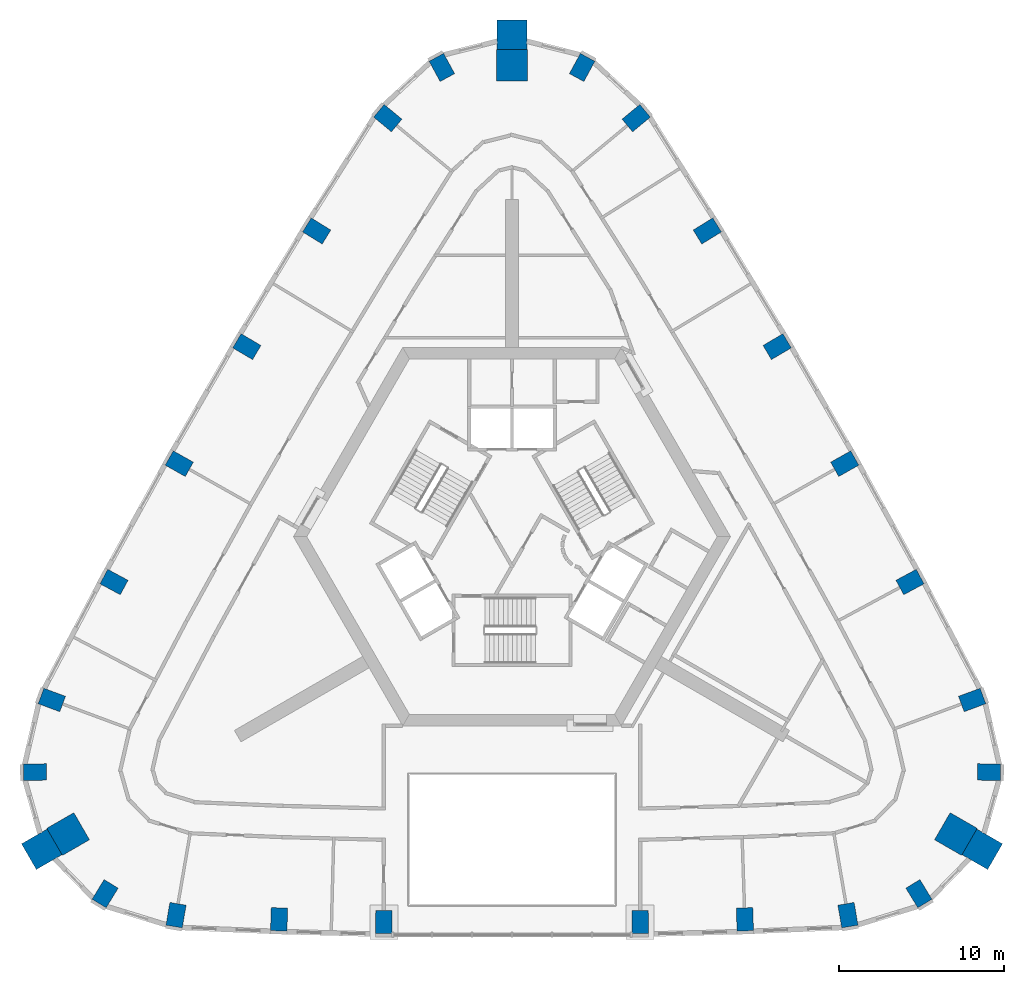
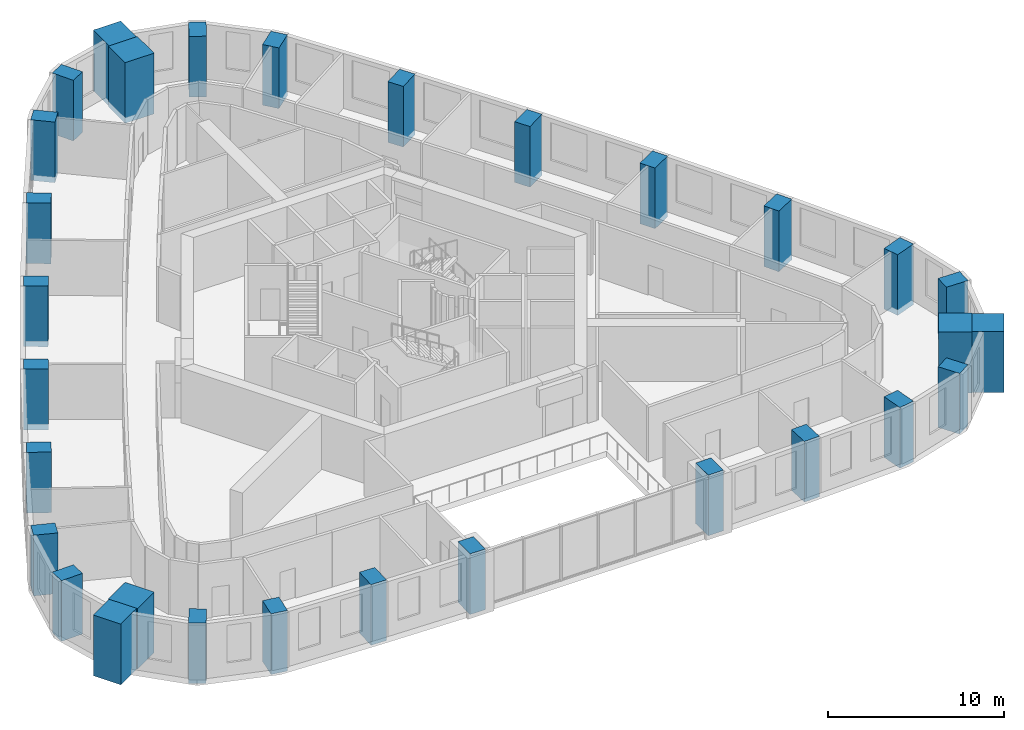
# One storey, part 1 of 11: 30 columns.
"""IFC4 building model written with IfcOpenShell, lengths in metres."""

import ifcopenshell
import ifcopenshell.guid

model = None  # the IFC model being written
_history = None  # IfcOwnerHistory: only IFC2X3 demands one
_inside = {}  # id of a spatial element -> (the spatial element, [elements in it])
_under = {}  # id of a project, library or spatial element -> (it, [spatial elements below it])
_declared = {}  # id of a project -> (the project, [libraries it declares])
_typed = {}  # id of a type object -> (the type object, [elements of that type])
_made_of = {}  # id of a material, layer set ... -> (it, [elements and type objects made of it])


def new_model(schema):
    """Start an empty IFC model of exactly this schema.

    Asked for "IFC4X3", IfcOpenShell would pick the latest addendum, in which some entities
    have other attributes; the version numbers below select the first issue.
    IFC2X3 requires an IfcOwnerHistory on every rooted entity: one is made here for all.
    """
    global model, _history
    if schema == "IFC4X3":
        model = ifcopenshell.file(schema_version=(4, 3, 0, 0))
    else:
        model = ifcopenshell.file(schema=schema)
    _inside.clear()
    _under.clear()
    _declared.clear()
    _typed.clear()
    _made_of.clear()
    _history = None
    if model.schema == "IFC2X3":
        org = make("IfcOrganization", Name="unknown")
        user = make(
            "IfcPersonAndOrganization",
            ThePerson=make("IfcPerson", FamilyName="unknown"),
            TheOrganization=org,
        )
        app = make(
            "IfcApplication",
            ApplicationDeveloper=org,
            Version="unknown",
            ApplicationFullName="unknown",
            ApplicationIdentifier="unknown",
        )
        _history = make(
            "IfcOwnerHistory",
            OwningUser=user,
            OwningApplication=app,
            ChangeAction="ADDED",
            CreationDate=0,
        )
    return model


def make(cls, **values):
    """One entity of the class cls with the attributes given. An attribute that is None is left unset."""
    return model.create_entity(
        cls, **{name: value for name, value in values.items() if value is not None}
    )


def rooted(cls, **values):
    """An entity with a GlobalId (a new one), such as an element, a storey or a relation."""
    return make(cls, GlobalId=ifcopenshell.guid.new(), OwnerHistory=_history, **values)


def si_unit(unit_type, name, prefix=None):
    """IfcSIUnit, for example si_unit("LENGTHUNIT", "METRE", prefix="MILLI")."""
    return make("IfcSIUnit", UnitType=unit_type, Prefix=prefix, Name=name)


def assignment(units):
    """IfcUnitAssignment: the units of a project."""
    return None if units is None else make("IfcUnitAssignment", Units=units)


def point(xyz):
    """IfcCartesianPoint."""
    return None if xyz is None else make("IfcCartesianPoint", Coordinates=xyz)


def direction(xyz):
    """IfcDirection."""
    return None if xyz is None else make("IfcDirection", DirectionRatios=xyz)


def frame(location, z_axis=None, x_axis=None):
    """IfcAxis2Placement3D, a coordinate frame: its origin and axes. An axis left out is left unset."""
    return make(
        "IfcAxis2Placement3D",
        Location=point(location),
        Axis=direction(z_axis),
        RefDirection=direction(x_axis),
    )


def frame_2d(location, x_axis=None):
    """IfcAxis2Placement2D, a coordinate frame in the plane: its origin and x axis."""
    return make(
        "IfcAxis2Placement2D", Location=point(location), RefDirection=direction(x_axis)
    )


def origin():
    """The frame at (0, 0, 0) with its axes left unset."""
    return frame((0.0, 0.0, 0.0))


def origin_2d():
    """The frame at (0, 0) in the plane with its x axis left unset."""
    return frame_2d((0.0, 0.0))


def place(relative_to, where):
    """IfcLocalPlacement: puts the frame where relative to a parent placement (None: the world)."""
    return make(
        "IfcLocalPlacement", PlacementRelTo=relative_to, RelativePlacement=where
    )


def context(
    kind, dimensions, precision=None, world=None, true_north=None, identifier=None
):
    """IfcGeometricRepresentationContext, for example the 3D "Model" context."""
    return make(
        "IfcGeometricRepresentationContext",
        ContextIdentifier=identifier,
        ContextType=kind,
        CoordinateSpaceDimension=dimensions,
        Precision=precision,
        WorldCoordinateSystem=world,
        TrueNorth=true_north,
    )


def subcontext(parent, identifier, kind, view, scale=None):
    """IfcGeometricRepresentationSubContext, for example "Body" below "Model"."""
    return make(
        "IfcGeometricRepresentationSubContext",
        ContextIdentifier=identifier,
        ContextType=kind,
        ParentContext=parent,
        TargetScale=scale,
        TargetView=view,
    )


def project(units=None, contexts=None):
    """IfcProject with its units and contexts."""
    return rooted(
        "IfcProject",
        Name="project",
        RepresentationContexts=contexts,
        UnitsInContext=assignment(units),
    )


def spatial(cls, under=None, at=None, **own):
    """A site, building, storey or space (cls), placed at a placement, below another one or the project."""
    s = rooted(cls, ObjectPlacement=at, **own)
    if under is not None:
        _under.setdefault(under.id(), (under, []))[1].append(s)
    return s


def profile(cls, at=None, kind="AREA", **sizes):
    """A parametric profile (cls). Its sizes go by their IFC names, for example OverallWidth=200.0."""
    return make(cls, ProfileType=kind, Position=at, **sizes)


def rectangle(**sizes):
    """IfcRectangleProfileDef."""
    return profile("IfcRectangleProfileDef", **sizes)


def extrude(swept, where, along, depth):
    """IfcExtrudedAreaSolid: the profile swept, set in the frame where, extruded along a direction by depth."""
    return make(
        "IfcExtrudedAreaSolid",
        SweptArea=swept,
        Position=where,
        ExtrudedDirection=direction(along),
        Depth=depth,
    )


def shape(context_of_items, identifier, shape_type, items):
    """IfcShapeRepresentation: the items that make up one representation, for example the "Body"."""
    return make(
        "IfcShapeRepresentation",
        ContextOfItems=context_of_items,
        RepresentationIdentifier=identifier,
        RepresentationType=shape_type,
        Items=items,
    )


def material(Name=None, Category=None):
    """IfcMaterial."""
    return make("IfcMaterial", Name=Name, Category=Category)


def material_profile(
    of_material, cross_section, Name=None, Category=None, Priority=None
):
    """IfcMaterialProfile: a cross section and its material."""
    return make(
        "IfcMaterialProfile",
        Name=Name,
        Material=of_material,
        Profile=cross_section,
        Priority=Priority,
        Category=Category,
    )


def profile_set(profiles, Name=None, composite=None):
    """IfcMaterialProfileSet."""
    return make(
        "IfcMaterialProfileSet",
        Name=Name,
        MaterialProfiles=profiles,
        CompositeProfile=composite,
    )


def made_of(thing, what):
    """Note that an element or type object is made of a material, layer set ...; save() writes the relation."""
    if what is not None:
        _made_of.setdefault(what.id(), (what, []))[1].append(thing)
    return thing


def type_object(cls, material=None, **own):
    """A type object (cls), such as IfcWallType, which elements share."""
    return made_of(rooted(cls, **own), material)


def element(
    cls,
    number,
    at=None,
    inside=None,
    cuts=None,
    type_object=None,
    material=None,
    context=None,
    identifier="Body",
    shape_type=None,
    held_by="IfcProductDefinitionShape",
    body=None,
    shapes=None,
    **own,
):
    """One element of the class cls, such as IfcWall. Its Tag is "e" and its number.

    at: its placement. inside: the storey or other place that contains it. cuts: it is an
    opening in that element (IfcRelVoidsElement). A single representation is given by context,
    identifier, shape_type and body (its items); several are given by shapes. held_by: the class
    of the entity that holds the representations. save() writes the other relations.
    """
    e = rooted(cls, Tag="e%d" % number, ObjectPlacement=at, **own)
    if body is not None:
        shapes = [shape(context, identifier, shape_type, body)]
    if shapes is not None:
        e.Representation = make(held_by, Representations=shapes)
    if inside is not None:
        _inside.setdefault(inside.id(), (inside, []))[1].append(e)
    if cuts is not None:
        rooted(
            "IfcRelVoidsElement", RelatingBuildingElement=cuts, RelatedOpeningElement=e
        )
    if type_object is not None:
        _typed.setdefault(type_object.id(), (type_object, []))[1].append(e)
    return made_of(e, material)


def aggregate(whole, parts):
    """IfcRelAggregates: a whole, such as a stair, and the parts it consists of."""
    return rooted("IfcRelAggregates", RelatingObject=whole, RelatedObjects=parts)


def save(model, path):
    """Write the relations noted so far, then the file.

    IfcRelAggregates (storeys below a building ...), IfcRelContainedInSpatialStructure (elements
    in a storey), IfcRelDefinesByType, IfcRelAssociatesMaterial and IfcRelDeclares: one each for
    every whole, place, type object, material and project.
    """
    for whole, parts in _under.values():
        aggregate(whole, parts)
    for where, things in _inside.values():
        rooted(
            "IfcRelContainedInSpatialStructure",
            RelatedElements=things,
            RelatingStructure=where,
        )
    for kind, things in _typed.values():
        rooted("IfcRelDefinesByType", RelatedObjects=things, RelatingType=kind)
    for what, things in _made_of.values():
        rooted("IfcRelAssociatesMaterial", RelatedObjects=things, RelatingMaterial=what)
    for by, libraries in _declared.values():
        rooted("IfcRelDeclares", RelatingContext=by, RelatedDefinitions=libraries)
    model.write(path)


model = new_model("IFC4")

# Units and contexts
model_context = context("Model", 3, precision=1e-05, world=origin(), true_north=direction((0.0, 1.0)))
body_context = subcontext(model_context, "Body", "Model", "MODEL_VIEW")
ifc_project = project(units=[si_unit("LENGTHUNIT", "METRE"), si_unit("AREAUNIT", "SQUARE_METRE"), si_unit("VOLUMEUNIT", "CUBIC_METRE"), si_unit("PLANEANGLEUNIT", "RADIAN"), si_unit("MASSUNIT", "GRAM", prefix="KILO")], contexts=[model_context])

# Site, building, storey
site_placement = place(None, origin())
site = spatial("IfcSite", under=ifc_project, at=site_placement, CompositionType="ELEMENT")
building_placement = place(site_placement, origin())
building = spatial("IfcBuilding", under=site, at=building_placement, Name="Entoto Arch Interchange Tower", CompositionType="ELEMENT")
storey_placement = place(building_placement, frame((0.0, 0.0, 194.0)))
storey = spatial("IfcBuildingStorey", under=building, at=storey_placement, Name="L43", CompositionType="ELEMENT", Elevation=194.0)

# Columns
ifc_material_1 = material(Name="Concrete C50/60", Category="concrete")
ifc_material_profile_1 = material_profile(ifc_material_1, rectangle(XDim=1.0, YDim=1.39990234375, at=origin_2d()))
ifc_profile_set_1 = profile_set([ifc_material_profile_1], Name="Concrete C50/60")
column_type_1 = type_object("IfcColumnType", Name="Column RC 1000x1400 C50/60", PredefinedType="COLUMN", material=ifc_profile_set_1)
for number, where, z_axis, x_axis, name in (
    (1, (-20.4169921875, -20.5048828125, -0.39990234375), (0.0, 0.0, 1.0), (-0.985541276773, 0.169435509195, 0.0), "Column S01 L43"),
    (2, (-14.154052734375, -20.760009765625, -0.39990234375), (0.0, 0.0, 1.0), (-0.999420902032, 0.034027350502, 0.0), "Column S02 L43"),
    (3, (-7.7880859375, -20.927001953125, -0.39990234375), (0.0, 0.0, 1.0), (-0.999913181484, 0.013176854508, 0.0), "Column S03 L43"),
    (4, (7.7880859375, -20.927001953125, -0.39990234375), (0.0, 0.0, 1.0), (0.999913181484, 0.013176854508, 0.0), "Column S04 L43"),
    (5, (14.154052734375, -20.760009765625, -0.39990234375), (0.0, 0.0, 1.0), (0.999420902032, 0.034027350502, 0.0), "Column S05 L43"),
    (6, (20.4169921875, -20.5048828125, -0.39990234375), (0.0, 0.0, 1.0), (0.985541276773, 0.169435509195, 0.0), "Column S06 L43"),
    (7, (24.72802734375, -19.198974609375, -0.39990234375), (0.0, 0.0, 1.0), (0.853423465127, 0.521218178089, 0.0), "Column SE1 L43"),
    (8, (28.989990234375, -11.81591796875, -0.39990234375), (0.0, 0.0, 1.0), (0.024676450576, 0.99969549003, 0.0), "Column SE3 L43"),
    (9, (27.967041015625, -7.428955078125, -0.39990234375), (0.0, 0.0, 1.0), (-0.34706660219, 0.937840484114, 0.0), "Column NE01 L43"),
    (10, (24.18798828125, -0.259033203125, -0.39990234375), (0.0, 0.0, 1.0), (-0.474134310084, 0.880452529102, 0.0), "Column NE02 L43"),
    (11, (20.221923828125, 6.93408203125, -0.39990234375), (0.0, 0.0, 1.0), (-0.491435856222, 0.870913772551, 0.0), "Column NE03 L43"),
    (12, (16.115966796875, 14.0458984375, -0.39990234375), (0.0, 0.0, 1.0), (-0.508515523424, 0.861052822095, 0.0), "Column NE04 L43"),
    (13, (11.868896484375, 21.075927734375, -0.39990234375), (0.0, 0.0, 1.0), (-0.525427101986, 0.850838621889, 0.0), "Column NE05 L43"),
    (14, (7.549072265625, 27.93505859375, -0.39990234375), (0.0, 0.0, 1.0), (-0.638660382845, 0.769488736359, 0.0), "Column NE06 L43"),
    (15, (4.261962890625, 31.014892578125, -0.39990234375), (0.0, 0.0, 1.0), (-0.878099915703, 0.478477311941, 0.0), "Column N1 L43"),
    (16, (-4.261962890625, 31.014892578125, -0.39990234375), (0.0, 0.0, 1.0), (0.878099915703, 0.478477311941, 0.0), "Column N3 L43"),
    (17, (-7.549072265625, 27.93505859375, -0.39990234375), (0.0, 0.0, 1.0), (0.638660382845, 0.769488736359, 0.0), "Column NW01 L43"),
    (18, (-11.868896484375, 21.075927734375, -0.39990234375), (0.0, 0.0, 1.0), (0.525427101986, 0.850838621889, 0.0), "Column NW02 L43"),
    (19, (-16.115966796875, 14.0458984375, -0.39990234375), (0.0, 0.0, 1.0), (0.508515523424, 0.861052822095, 0.0), "Column NW03 L43"),
    (20, (-20.221923828125, 6.93408203125, -0.39990234375), (0.0, 0.0, 1.0), (0.491435856222, 0.870913772551, 0.0), "Column NW04 L43"),
    (21, (-24.18798828125, -0.259033203125, -0.39990234375), (0.0, 0.0, 1.0), (0.474134310084, 0.880452529102, 0.0), "Column NW05 L43"),
    (22, (-27.967041015625, -7.428955078125, -0.39990234375), (0.0, 0.0, 1.0), (0.34706660219, 0.937840484114, 0.0), "Column NW06 L43"),
    (23, (-28.989990234375, -11.81591796875, -0.39990234375), (0.0, 0.0, 1.0), (-0.024676450576, 0.99969549003, 0.0), "Column SW1 L43"),
    (24, (-24.72802734375, -19.198974609375, -0.39990234375), (0.0, 0.0, 1.0), (-0.853423465127, 0.521218178089, 0.0), "Column SW3 L43"),
):
    element("IfcColumn", number, at=place(storey_placement, frame(where, z_axis=z_axis, x_axis=x_axis)), inside=storey, type_object=column_type_1, Name=name, PredefinedType="COLUMN", context=body_context, shape_type="SweptSolid", body=[
        extrude(rectangle(XDim=1.0, YDim=1.39990234375, at=origin_2d()), origin(), (0.0, 0.0, 1.0), 4.199951171875),
    ])
ifc_material_2 = material(Name="Precast concrete C40/50", Category="concrete")
ifc_material_profile_2 = material_profile(ifc_material_2, rectangle(XDim=1.800048828125, YDim=1.800048828125, at=origin_2d()))
ifc_profile_set_2 = profile_set([ifc_material_profile_2], Name="Precast concrete C40/50")
column_type_2 = type_object("IfcColumnType", Name="Frame post RC 1800x1800 precast C40/50", PredefinedType="COLUMN", material=ifc_profile_set_2)
for number, where, z_axis, x_axis, name in (
    (25, (28.5791015625, -16.5, -0.39990234375), (0.0, 0.0, 1.0), (-0.866025403784, 0.5, 0.0), "Frame post SE L43"),
    (26, (0.0, 33.0, -0.39990234375), (0.0, 0.0, 1.0), (0.0, 1.0, 0.0), "Frame post N L43"),
    (27, (-28.5791015625, -16.5, -0.39990234375), (0.0, 0.0, 1.0), (0.866025403784, 0.5, 0.0), "Frame post SW L43"),
):
    element("IfcColumn", number, at=place(storey_placement, frame(where, z_axis=z_axis, x_axis=x_axis)), inside=storey, type_object=column_type_2, Name=name, PredefinedType="COLUMN", context=body_context, shape_type="SweptSolid", body=[
        extrude(rectangle(XDim=1.800048828125, YDim=1.800048828125, at=origin_2d()), origin(), (0.0, 0.0, 1.0), 4.199951171875),
    ])
ifc_material_profile_3 = material_profile(ifc_material_1, rectangle(XDim=1.89990234375, YDim=1.89990234375, at=origin_2d()))
ifc_profile_set_3 = profile_set([ifc_material_profile_3], Name="Concrete C50/60")
column_type_3 = type_object("IfcColumnType", Name="Mega column RC 1900x1900 C50/60", PredefinedType="COLUMN", material=ifc_profile_set_3)
for number, where, z_axis, x_axis, name in (
    (28, (26.97705078125, -15.574951171875, -0.39990234375), (0.0, 0.0, 1.0), (-0.866025403784, 0.5, 0.0), "Corner mega column SE2 L43"),
    (29, (0.0, 31.14990234375, -0.39990234375), (0.0, 0.0, 1.0), (0.0, 1.0, 0.0), "Corner mega column N2 L43"),
    (30, (-26.97705078125, -15.574951171875, -0.39990234375), (0.0, 0.0, 1.0), (0.866025403784, 0.5, 0.0), "Corner mega column SW2 L43"),
):
    element("IfcColumn", number, at=place(storey_placement, frame(where, z_axis=z_axis, x_axis=x_axis)), inside=storey, type_object=column_type_3, Name=name, PredefinedType="COLUMN", context=body_context, shape_type="SweptSolid", body=[
        extrude(rectangle(XDim=1.89990234375, YDim=1.89990234375, at=origin_2d()), origin(), (0.0, 0.0, 1.0), 4.199951171875),
    ])

save(model, "model.ifc")
